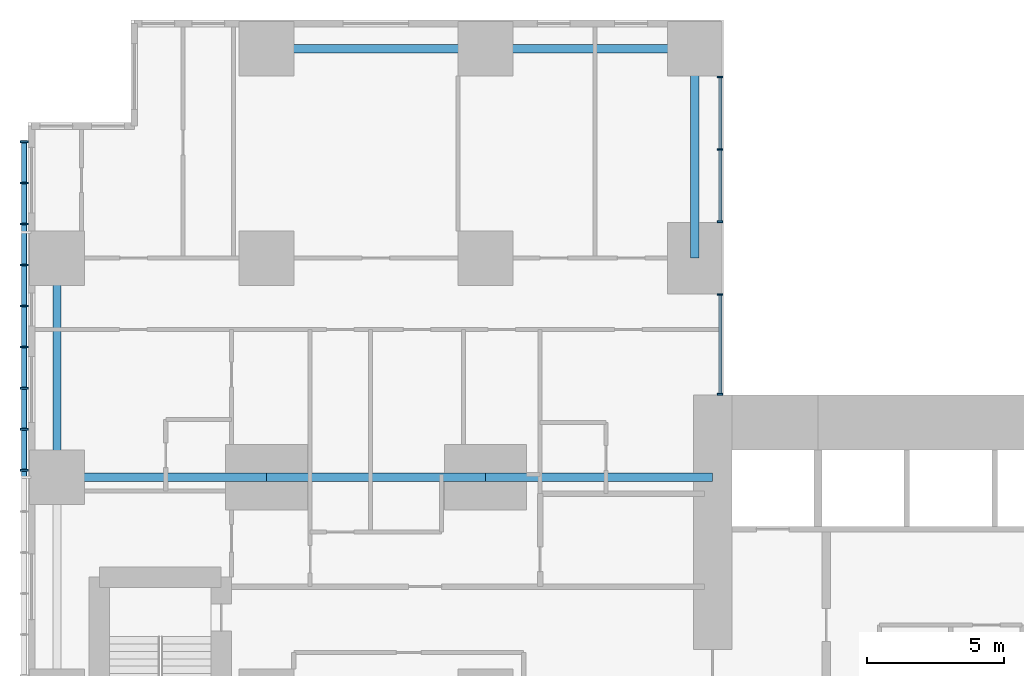
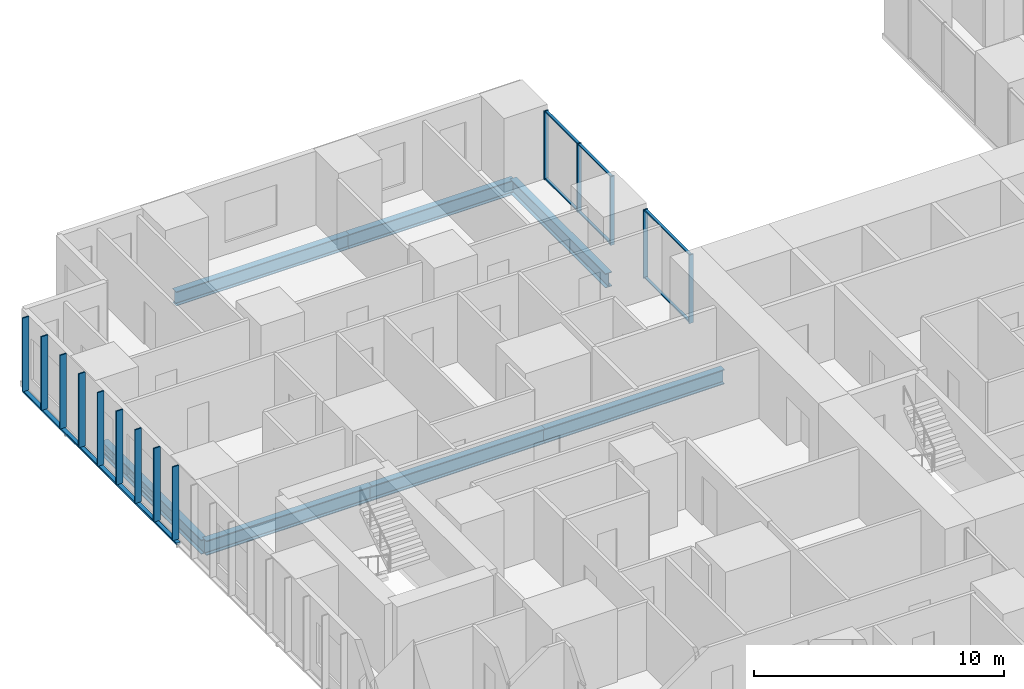
# One storey, part 4 of 20: 21 members, 7 beams, 2 elements without a shape of their own.
"""IFC4 building model written with IfcOpenShell, lengths in metres."""

from ifc_helpers import new_model, si_unit, direction, frame, origin, origin_2d, place, context, subcontext, project, spatial, rectangle, hollow_rectangle, i_section, extrude, material, layer, layer_set, material_profile, profile_set, type_object, element, aggregate, save


model = new_model("IFC4")

# Units and contexts
model_context = context("Model", 3, precision=1e-05, world=origin(), true_north=direction((0.0, 1.0)))
body_context = subcontext(model_context, "Body", "Model", "MODEL_VIEW")
ifc_project = project(units=[si_unit("LENGTHUNIT", "METRE"), si_unit("AREAUNIT", "SQUARE_METRE"), si_unit("VOLUMEUNIT", "CUBIC_METRE"), si_unit("PLANEANGLEUNIT", "RADIAN"), si_unit("MASSUNIT", "GRAM", prefix="KILO")], contexts=[model_context])

# Site, building, storey
site_placement = place(None, origin())
site = spatial("IfcSite", under=ifc_project, at=site_placement, CompositionType="ELEMENT")
building_placement = place(site_placement, origin())
building = spatial("IfcBuilding", under=site, at=building_placement, Name="Cleftline Residences", CompositionType="ELEMENT")
storey_placement = place(building_placement, frame((0.0, 0.0, 72.800048828125)))
storey = spatial("IfcBuildingStorey", under=building, at=storey_placement, Name="L18", CompositionType="ELEMENT", Elevation=72.800048828125)

# Member
ifc_material_1 = material(Name="Steel S355, hot-dip galvanised", Category="steel")
ifc_material_profile_1 = material_profile(ifc_material_1, hollow_rectangle(XDim=0.10009765625, YDim=0.199951171875, WallThickness=0.008056640625, InnerFilletRadius=0.008056640625, OuterFilletRadius=0.011962890625, at=origin_2d()))
ifc_profile_set_1 = profile_set([ifc_material_profile_1], Name="Steel S355, hot-dip galvanised")
member_type_1 = type_object("IfcMemberType", Name="BAGUETTE CARRIER RHS 200X100X8", PredefinedType="USERDEFINED", material=ifc_profile_set_1)
member_1_placement = place(storey_placement, frame((-0.85009765625, 44.300048828125, -0.050048828125), z_axis=(0.0, -1.0, 0.0), x_axis=(0.0, 0.0, 1.0)))
element("IfcMember", 1, at=member_1_placement, inside=storey, type_object=member_type_1, Name="Baguette carrier", ObjectType="BAGUETTE CARRIER", PredefinedType="USERDEFINED", context=body_context, shape_type="SweptSolid", body=[
    extrude(hollow_rectangle(XDim=0.10009765625, YDim=0.199951171875, WallThickness=0.008056640625, InnerFilletRadius=0.008056640625, OuterFilletRadius=0.011962890625, at=origin_2d()), origin(), (0.0, 0.0, 1.0), 12.300048828125),
])

# Beams
ifc_material_2 = material(Name="Steel S355", Category="steel")
ifc_material_profile_2 = material_profile(ifc_material_2, i_section(OverallWidth=0.300048828125, OverallDepth=0.699951171875, WebThickness=0.01708984375, FlangeThickness=0.031982421875, FilletRadius=0.027099609375, at=origin_2d()))
ifc_profile_set_2 = profile_set([ifc_material_profile_2], Name="Steel S355")
beam_type_1 = type_object("IfcBeamType", Name="BEAM HEB 700", PredefinedType="BEAM", material=ifc_profile_set_2)
for number, where, z_axis, x_axis, name in (
    (2, (0.35009765625, 32.0, -0.60009765625), (0.0, 1.0, 0.0), (-1.0, 0.0, 0.0), "Edge beam"),
    (3, (8.0, 47.64990234375, -0.60009765625), (1.0, 0.0, 0.0), (0.0, 1.0, 0.0), "Edge beam"),
):
    element("IfcBeam", number, at=place(storey_placement, frame(where, z_axis=z_axis, x_axis=x_axis)), inside=storey, type_object=beam_type_1, Name=name, PredefinedType="BEAM", context=body_context, shape_type="SweptSolid", body=[
        extrude(i_section(OverallWidth=0.300048828125, OverallDepth=0.699951171875, WebThickness=0.01708984375, FlangeThickness=0.031982421875, FilletRadius=0.027099609375, at=origin_2d()), origin(), (0.0, 0.0, 1.0), 8.0),
    ])
for number, where, z_axis, x_axis, name in (
    (4, (16.0, 47.64990234375, -0.60009765625), (1.0, 0.0, 0.0), (0.0, 1.0, 0.0), "Edge beam"),
    (5, (23.64990234375, 47.64990234375, -0.60009765625), (0.0, -1.0, 0.0), (1.0, 0.0, 0.0), "Edge beam"),
):
    element("IfcBeam", number, at=place(storey_placement, frame(where, z_axis=z_axis, x_axis=x_axis)), inside=storey, type_object=beam_type_1, Name=name, PredefinedType="BEAM", context=body_context, shape_type="SweptSolid", body=[
        extrude(i_section(OverallWidth=0.300048828125, OverallDepth=0.699951171875, WebThickness=0.01708984375, FlangeThickness=0.031982421875, FilletRadius=0.027099609375, at=origin_2d()), origin(), (0.0, 0.0, 1.0), 7.64990234375),
    ])
ifc_material_3 = material(Name="Steel S355", Category="steel")
ifc_material_profile_3 = material_profile(ifc_material_3, i_section(OverallWidth=0.303955078125, OverallDepth=0.716064453125, WebThickness=0.02099609375, FlangeThickness=0.0400390625, FilletRadius=0.027099609375, at=origin_2d()))
ifc_profile_set_3 = profile_set([ifc_material_profile_3], Name="Steel S355")
beam_type_2 = type_object("IfcBeamType", Name="BEAM HEM 700", PredefinedType="BEAM", material=ifc_profile_set_3)
beam_1_placement = place(storey_placement, frame((0.35009765625, 32.0, -0.608154296875), z_axis=(1.0, 0.0, 0.0), x_axis=(0.0, 1.0, 0.0)))
element("IfcBeam", 6, at=beam_1_placement, inside=storey, type_object=beam_type_2, Name="Band beam", PredefinedType="BEAM", context=body_context, shape_type="SweptSolid", body=[
    extrude(i_section(OverallWidth=0.303955078125, OverallDepth=0.716064453125, WebThickness=0.02099609375, FlangeThickness=0.0400390625, FilletRadius=0.027099609375, at=origin_2d()), origin(), (0.0, 0.0, 1.0), 7.64990234375),
])
beam_2_placement = place(storey_placement, frame((8.0, 32.0, -0.608154296875), z_axis=(1.0, 0.0, 0.0), x_axis=(0.0, 1.0, 0.0)))
element("IfcBeam", 7, at=beam_2_placement, inside=storey, type_object=beam_type_2, Name="Band beam", PredefinedType="BEAM", context=body_context, shape_type="SweptSolid", body=[
    extrude(i_section(OverallWidth=0.303955078125, OverallDepth=0.716064453125, WebThickness=0.02099609375, FlangeThickness=0.0400390625, FilletRadius=0.027099609375, at=origin_2d()), origin(), (0.0, 0.0, 1.0), 8.0),
])
beam_3_placement = place(storey_placement, frame((16.0, 32.0, -0.608154296875), z_axis=(1.0, 0.0, 0.0), x_axis=(0.0, 1.0, 0.0)))
element("IfcBeam", 8, at=beam_3_placement, inside=storey, type_object=beam_type_2, Name="Band beam", PredefinedType="BEAM", context=body_context, shape_type="SweptSolid", body=[
    extrude(i_section(OverallWidth=0.303955078125, OverallDepth=0.716064453125, WebThickness=0.02099609375, FlangeThickness=0.0400390625, FilletRadius=0.027099609375, at=origin_2d()), origin(), (0.0, 0.0, 1.0), 8.300048828125),
])

# Curtain wall, members
ifc_material_4 = material(Name="Aluminium framed curtain wall", Category="aluminium")
ifc_layer = layer(ifc_material_4, 0.199951171875)
ifc_layer_set = layer_set([ifc_layer], Name="CW1 CLEFT GLAZING")
curtain_wall_type = type_object("IfcCurtainWallType", Name="CW1 CLEFT GLAZING", PredefinedType="NOTDEFINED", material=ifc_layer_set)
curtain_wall_1_placement = place(storey_placement, origin())
curtain_wall_1 = element("IfcCurtainWall", 9, at=curtain_wall_1_placement, inside=storey, type_object=curtain_wall_type, Name="Curtain wall CW1", PredefinedType="NOTDEFINED")
ifc_material_5 = material(Name="Aluminium mullion", Category="aluminium")
ifc_material_profile_4 = material_profile(ifc_material_5, rectangle(XDim=0.199951171875, YDim=0.06005859375, at=origin_2d()))
ifc_profile_set_4 = profile_set([ifc_material_profile_4], Name="Aluminium mullion")
member_type_2 = type_object("IfcMemberType", Name="CW1 MULLION", PredefinedType="MULLION", material=ifc_profile_set_4)
member_2_placement = place(storey_placement, frame((24.574951171875, 35.030029296875, 0.0), z_axis=(0.0, 0.0, 1.0), x_axis=(-1.0, 0.0, 0.0)))
member_2 = element("IfcMember", 10, at=member_2_placement, type_object=member_type_2, Name="CW1 mullion 1", PredefinedType="MULLION", context=body_context, shape_type="SweptSolid", body=[
    extrude(rectangle(XDim=0.199951171875, YDim=0.06005859375, at=origin_2d()), origin(), (0.0, 0.0, 1.0), 3.349853515625),
])
member_3_placement = place(storey_placement, frame((24.574951171875, 38.669921875, 0.0), z_axis=(0.0, 0.0, 1.0), x_axis=(-1.0, 0.0, 0.0)))
member_3 = element("IfcMember", 11, at=member_3_placement, type_object=member_type_2, Name="CW1 mullion 2", PredefinedType="MULLION", context=body_context, shape_type="SweptSolid", body=[
    extrude(rectangle(XDim=0.199951171875, YDim=0.06005859375, at=origin_2d()), origin(), (0.0, 0.0, 1.0), 3.349853515625),
])

curtain_wall_2_placement = place(storey_placement, origin())
curtain_wall_2 = element("IfcCurtainWall", 12, at=curtain_wall_2_placement, inside=storey, type_object=curtain_wall_type, Name="Curtain wall CW1", PredefinedType="NOTDEFINED")
member_4_placement = place(storey_placement, frame((24.574951171875, 41.330078125, 0.0), z_axis=(0.0, 0.0, 1.0), x_axis=(-1.0, 0.0, 0.0)))
member_4 = element("IfcMember", 13, at=member_4_placement, type_object=member_type_2, Name="CW1 mullion 1", PredefinedType="MULLION", context=body_context, shape_type="SweptSolid", body=[
    extrude(rectangle(XDim=0.199951171875, YDim=0.06005859375, at=origin_2d()), origin(), (0.0, 0.0, 1.0), 3.349853515625),
])
member_5_placement = place(storey_placement, frame((24.574951171875, 43.97509765625, 0.0), z_axis=(0.0, 0.0, 1.0), x_axis=(-1.0, 0.0, 0.0)))
member_5 = element("IfcMember", 14, at=member_5_placement, type_object=member_type_2, Name="CW1 mullion 2", PredefinedType="MULLION", context=body_context, shape_type="SweptSolid", body=[
    extrude(rectangle(XDim=0.199951171875, YDim=0.06005859375, at=origin_2d()), origin(), (0.0, 0.0, 1.0), 3.349853515625),
])
member_6_placement = place(storey_placement, frame((24.574951171875, 46.6201171875, 0.0), z_axis=(0.0, 0.0, 1.0), x_axis=(-1.0, 0.0, 0.0)))
member_6 = element("IfcMember", 15, at=member_6_placement, type_object=member_type_2, Name="CW1 mullion 3", PredefinedType="MULLION", context=body_context, shape_type="SweptSolid", body=[
    extrude(rectangle(XDim=0.199951171875, YDim=0.06005859375, at=origin_2d()), origin(), (0.0, 0.0, 1.0), 3.349853515625),
])

# Member
ifc_material_6 = material(Name="Aluminium transom", Category="aluminium")
ifc_material_profile_5 = material_profile(ifc_material_6, rectangle(XDim=0.1201171875, YDim=0.06005859375, at=origin_2d()))
ifc_profile_set_5 = profile_set([ifc_material_profile_5], Name="Aluminium transom")
member_type_3 = type_object("IfcMemberType", Name="CW1 TRANSOM", PredefinedType="USERDEFINED", material=ifc_profile_set_5)
member_7_placement = place(storey_placement, frame((24.574951171875, 35.06005859375, 0.030029296875), z_axis=(0.0, 1.0, 0.0), x_axis=(-1.0, 0.0, 0.0)))
member_7 = element("IfcMember", 16, at=member_7_placement, type_object=member_type_3, Name="CW1 transom 1.1", ObjectType="TRANSOM", PredefinedType="USERDEFINED", context=body_context, shape_type="SweptSolid", body=[
    extrude(rectangle(XDim=0.1201171875, YDim=0.06005859375, at=origin_2d()), origin(), (0.0, 0.0, 1.0), 3.579833984375),
])

member_8_placement = place(storey_placement, frame((24.574951171875, 35.06005859375, 3.320068359375), z_axis=(0.0, 1.0, 0.0), x_axis=(-1.0, 0.0, 0.0)))
member_8 = element("IfcMember", 17, at=member_8_placement, type_object=member_type_3, Name="CW1 transom 1.2", ObjectType="TRANSOM", PredefinedType="USERDEFINED", context=body_context, shape_type="SweptSolid", body=[
    extrude(rectangle(XDim=0.1201171875, YDim=0.06005859375, at=origin_2d()), origin(), (0.0, 0.0, 1.0), 3.579833984375),
])

aggregate(curtain_wall_1, [member_2, member_3, member_7, member_8])

member_9_placement = place(storey_placement, frame((24.574951171875, 41.360107421875, 0.030029296875), z_axis=(0.0, 1.0, 0.0), x_axis=(-1.0, 0.0, 0.0)))
member_9 = element("IfcMember", 18, at=member_9_placement, type_object=member_type_3, Name="CW1 transom 1.1", ObjectType="TRANSOM", PredefinedType="USERDEFINED", context=body_context, shape_type="SweptSolid", body=[
    extrude(rectangle(XDim=0.1201171875, YDim=0.06005859375, at=origin_2d()), origin(), (0.0, 0.0, 1.0), 2.5849609375),
])

member_10_placement = place(storey_placement, frame((24.574951171875, 41.360107421875, 3.320068359375), z_axis=(0.0, 1.0, 0.0), x_axis=(-1.0, 0.0, 0.0)))
member_10 = element("IfcMember", 19, at=member_10_placement, type_object=member_type_3, Name="CW1 transom 1.2", ObjectType="TRANSOM", PredefinedType="USERDEFINED", context=body_context, shape_type="SweptSolid", body=[
    extrude(rectangle(XDim=0.1201171875, YDim=0.06005859375, at=origin_2d()), origin(), (0.0, 0.0, 1.0), 2.5849609375),
])

member_11_placement = place(storey_placement, frame((24.574951171875, 44.0048828125, 0.030029296875), z_axis=(0.0, 1.0, 0.0), x_axis=(-1.0, 0.0, 0.0)))
member_11 = element("IfcMember", 20, at=member_11_placement, type_object=member_type_3, Name="CW1 transom 2.1", ObjectType="TRANSOM", PredefinedType="USERDEFINED", context=body_context, shape_type="SweptSolid", body=[
    extrude(rectangle(XDim=0.1201171875, YDim=0.06005859375, at=origin_2d()), origin(), (0.0, 0.0, 1.0), 2.585205078125),
])

member_12_placement = place(storey_placement, frame((24.574951171875, 44.0048828125, 3.320068359375), z_axis=(0.0, 1.0, 0.0), x_axis=(-1.0, 0.0, 0.0)))
member_12 = element("IfcMember", 21, at=member_12_placement, type_object=member_type_3, Name="CW1 transom 2.2", ObjectType="TRANSOM", PredefinedType="USERDEFINED", context=body_context, shape_type="SweptSolid", body=[
    extrude(rectangle(XDim=0.1201171875, YDim=0.06005859375, at=origin_2d()), origin(), (0.0, 0.0, 1.0), 2.585205078125),
])

aggregate(curtain_wall_2, [member_4, member_5, member_6, member_9, member_10, member_11, member_12])

# Members
ifc_material_7 = material(Name="Extruded terracotta", Category="masonry")
ifc_material_profile_6 = material_profile(ifc_material_7, rectangle(XDim=0.06005859375, YDim=0.300048828125, at=origin_2d()))
ifc_profile_set_6 = profile_set([ifc_material_profile_6], Name="Extruded terracotta")
member_type_4 = type_object("IfcMemberType", Name="TERRACOTTA BAGUETTE 60X300", PredefinedType="USERDEFINED", material=ifc_profile_set_6)
for number, where, z_axis, x_axis, name in (
    (22, (-0.85009765625, 44.25, 0.0), (0.0, 0.0, 1.0), (0.0, 1.0, 0.0), "Terracotta baguette"),
    (23, (-0.85009765625, 42.75, 0.0), (0.0, 0.0, 1.0), (0.0, 1.0, 0.0), "Terracotta baguette"),
    (24, (-0.85009765625, 41.25, 0.0), (0.0, 0.0, 1.0), (0.0, 1.0, 0.0), "Terracotta baguette"),
    (25, (-0.85009765625, 39.75, 0.0), (0.0, 0.0, 1.0), (0.0, 1.0, 0.0), "Terracotta baguette"),
    (26, (-0.85009765625, 38.25, 0.0), (0.0, 0.0, 1.0), (0.0, 1.0, 0.0), "Terracotta baguette"),
    (27, (-0.85009765625, 36.75, 0.0), (0.0, 0.0, 1.0), (0.0, 1.0, 0.0), "Terracotta baguette"),
    (28, (-0.85009765625, 35.25, 0.0), (0.0, 0.0, 1.0), (0.0, 1.0, 0.0), "Terracotta baguette"),
    (29, (-0.85009765625, 33.75, 0.0), (0.0, 0.0, 1.0), (0.0, 1.0, 0.0), "Terracotta baguette"),
    (30, (-0.85009765625, 32.25, 0.0), (0.0, 0.0, 1.0), (0.0, 1.0, 0.0), "Terracotta baguette"),
):
    element("IfcMember", number, at=place(storey_placement, frame(where, z_axis=z_axis, x_axis=x_axis)), inside=storey, type_object=member_type_4, Name=name, ObjectType="BAGUETTE", PredefinedType="USERDEFINED", context=body_context, shape_type="SweptSolid", body=[
        extrude(rectangle(XDim=0.06005859375, YDim=0.300048828125, at=origin_2d()), origin(), (0.0, 0.0, 1.0), 3.599853515625),
    ])

save(model, "model.ifc")
